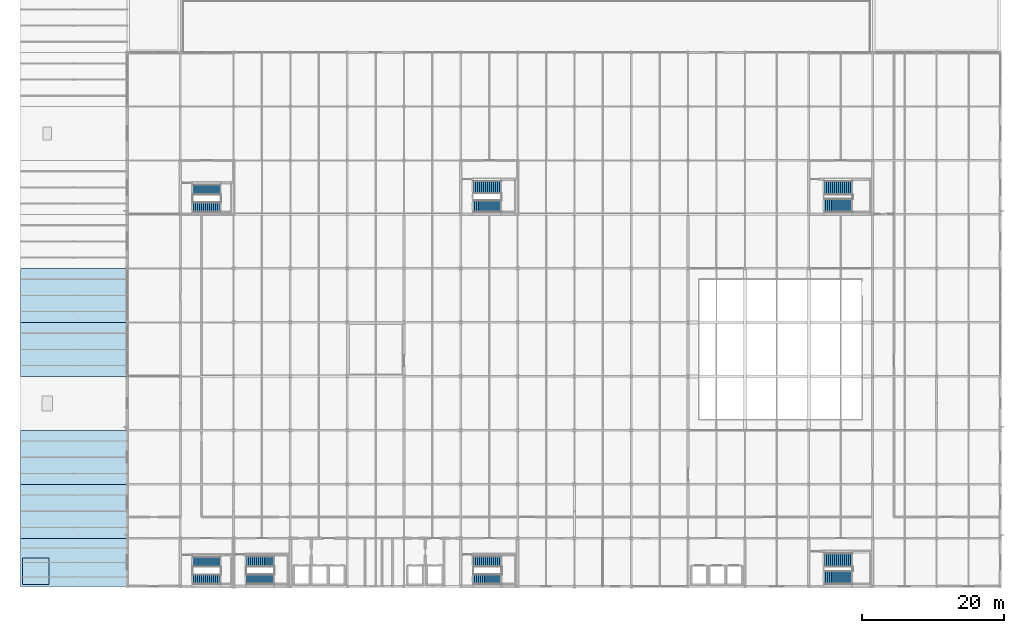
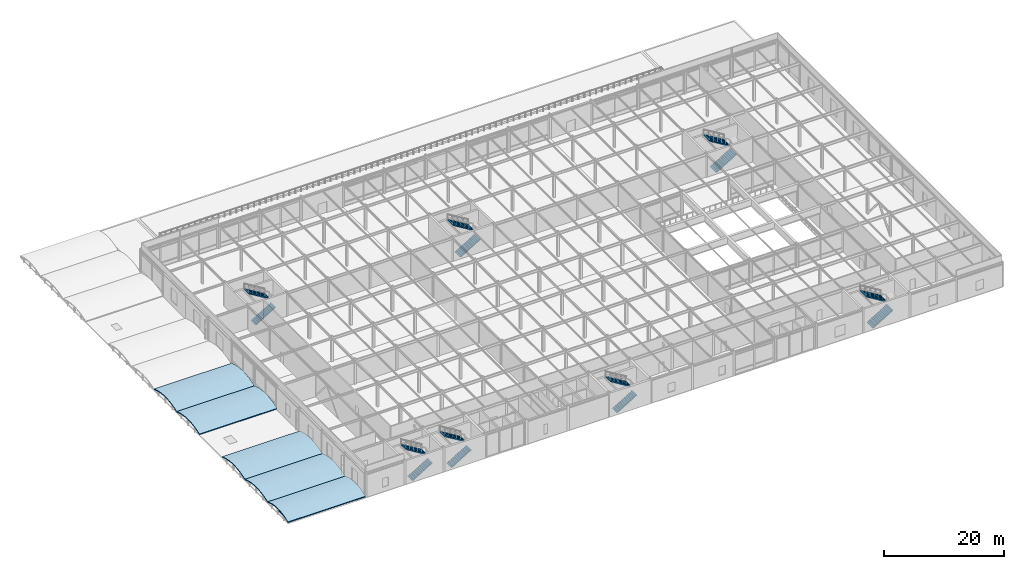
# One storey, part 66 of 79: 14 stair flights, 6 roofs, 7 elements without a shape of their own.
"""IFC4 building model written with IfcOpenShell, lengths in metres."""

from ifc_helpers import new_model, si_unit, direction, frame, origin, place, context, subcontext, project, spatial, polyline, outline, extrude, material, layer, layer_set, type_object, element, aggregate, save


model = new_model("IFC4")

# Units and contexts
model_context = context("Model", 3, precision=1e-05, world=origin(), true_north=direction((0.0, 1.0)))
body_context = subcontext(model_context, "Body", "Model", "MODEL_VIEW")
ifc_project = project(units=[si_unit("LENGTHUNIT", "METRE"), si_unit("AREAUNIT", "SQUARE_METRE"), si_unit("VOLUMEUNIT", "CUBIC_METRE"), si_unit("PLANEANGLEUNIT", "RADIAN"), si_unit("MASSUNIT", "GRAM", prefix="KILO")], contexts=[model_context])

# Site, building, storey
site_placement = place(None, origin())
site = spatial("IfcSite", under=ifc_project, at=site_placement, CompositionType="ELEMENT")
building_placement = place(site_placement, origin())
building = spatial("IfcBuilding", under=site, at=building_placement, Name="Shalkamar Park Central Library", CompositionType="ELEMENT")
storey_placement = place(building_placement, frame((0.0, 0.0, 10.5)))
storey = spatial("IfcBuildingStorey", under=building, at=storey_placement, Name="L03", CompositionType="ELEMENT", Elevation=10.5)

# Stair, stair flights
ifc_material = material(Name="Concrete C35/45", Category="concrete")
stair_type_1 = type_object("IfcStairType", Name="Protected Dog Leg Stair 150x510", PredefinedType="TWO_STRAIGHT_RUN_STAIR", material=ifc_material)
stair_1_placement = place(storey_placement, origin())
stair_1 = element("IfcStair", 1, at=stair_1_placement, inside=storey, type_object=stair_type_1, Name="Protected Core Stair ST-T1-L03", PredefinedType="TWO_STRAIGHT_RUN_STAIR")
stair_flight_type_1 = type_object("IfcStairFlightType", Name="Straight Stair Flight 150x510", PredefinedType="STRAIGHT", material=ifc_material)
stair_flight_1_placement = place(storey_placement, frame((166.6201171875, 249.389892578125, 0.0), z_axis=(0.0, 0.0, 1.0), x_axis=(1.0, 0.0, 0.0)))
stair_flight_1 = element("IfcStairFlight", 2, at=stair_flight_1_placement, type_object=stair_flight_type_1, Name="ST-T1-L03 flight 1", NumberOfRisers=15, NumberOfTreads=14, PredefinedType="STRAIGHT", RiserHeight=0.17, TreadLength=0.28, context=body_context, shape_type="SweptSolid", body=[
    extrude(outline(polyline([(0.0, 0.0), (0.0, 0.169921875), (0.280029296875, 0.169921875), (0.280029296875, 0.340087890625), (0.56005859375, 0.340087890625), (0.56005859375, 0.510009765625), (0.840087890625, 0.510009765625), (0.840087890625, 0.679931640625), (1.1201171875, 0.679931640625), (1.1201171875, 0.85009765625), (1.39990234375, 0.85009765625), (1.39990234375, 1.02001953125), (1.679931640625, 1.02001953125), (1.679931640625, 1.18994140625), (1.9599609375, 1.18994140625), (1.9599609375, 1.360107421875), (2.239990234375, 1.360107421875), (2.239990234375, 1.530029296875), (2.52001953125, 1.530029296875), (2.52001953125, 1.699951171875), (2.800048828125, 1.699951171875), (2.800048828125, 1.8701171875), (3.080078125, 1.8701171875), (3.080078125, 2.0400390625), (3.360107421875, 2.0400390625), (3.360107421875, 2.2099609375), (3.639892578125, 2.2099609375), (3.639892578125, 2.3798828125), (3.919921875, 2.3798828125), (3.919921875, 2.550048828125), (3.919921875, 2.20458984375), (0.288818359375, 0.0), (0.0, 0.0)])), frame((0.0, 0.75, 0.0), z_axis=(0.0, -1.0, 0.0), x_axis=(1.0, 0.0, 0.0)), (0.0, 0.0, 1.0), 1.5),
])
stair_flight_2_placement = place(storey_placement, frame((170.719970703125, 251.909912109375, 2.550048828125), z_axis=(0.0, 0.0, 1.0), x_axis=(-1.0, 0.0, 0.0)))
stair_flight_2 = element("IfcStairFlight", 3, at=stair_flight_2_placement, type_object=stair_flight_type_1, Name="ST-T1-L03 flight 2", NumberOfRisers=15, NumberOfTreads=14, PredefinedType="STRAIGHT", RiserHeight=0.17, TreadLength=0.28, context=body_context, shape_type="SweptSolid", body=[
    extrude(outline(polyline([(0.0, 0.0), (0.0, 0.169921875), (0.280029296875, 0.169921875), (0.280029296875, 0.340087890625), (0.56005859375, 0.340087890625), (0.56005859375, 0.510009765625), (0.840087890625, 0.510009765625), (0.840087890625, 0.679931640625), (1.1201171875, 0.679931640625), (1.1201171875, 0.85009765625), (1.39990234375, 0.85009765625), (1.39990234375, 1.02001953125), (1.679931640625, 1.02001953125), (1.679931640625, 1.18994140625), (1.9599609375, 1.18994140625), (1.9599609375, 1.360107421875), (2.239990234375, 1.360107421875), (2.239990234375, 1.530029296875), (2.52001953125, 1.530029296875), (2.52001953125, 1.699951171875), (2.800048828125, 1.699951171875), (2.800048828125, 1.8701171875), (3.080078125, 1.8701171875), (3.080078125, 2.0400390625), (3.360107421875, 2.0400390625), (3.360107421875, 2.2099609375), (3.639892578125, 2.2099609375), (3.639892578125, 2.3798828125), (3.919921875, 2.3798828125), (3.919921875, 2.550048828125), (3.919921875, 2.20458984375), (0.288818359375, 0.0), (0.0, 0.0)])), frame((0.0, 0.75, 0.0), z_axis=(0.0, -1.0, 0.0), x_axis=(1.0, 0.0, 0.0)), (0.0, 0.0, 1.0), 1.5),
])
aggregate(stair_1, [stair_flight_1, stair_flight_2])

stair_2_placement = place(storey_placement, origin())
stair_2 = element("IfcStair", 4, at=stair_2_placement, inside=storey, type_object=stair_type_1, Name="Protected Core Stair ST-T2-L03", PredefinedType="TWO_STRAIGHT_RUN_STAIR")
stair_flight_3_placement = place(storey_placement, frame((198.6201171875, 249.389892578125, 0.0), z_axis=(0.0, 0.0, 1.0), x_axis=(1.0, 0.0, 0.0)))
stair_flight_3 = element("IfcStairFlight", 5, at=stair_flight_3_placement, type_object=stair_flight_type_1, Name="ST-T2-L03 flight 1", NumberOfRisers=15, NumberOfTreads=14, PredefinedType="STRAIGHT", RiserHeight=0.17, TreadLength=0.28, context=body_context, shape_type="SweptSolid", body=[
    extrude(outline(polyline([(0.0, 0.0), (0.0, 0.169921875), (0.280029296875, 0.169921875), (0.280029296875, 0.340087890625), (0.56005859375, 0.340087890625), (0.56005859375, 0.510009765625), (0.840087890625, 0.510009765625), (0.840087890625, 0.679931640625), (1.1201171875, 0.679931640625), (1.1201171875, 0.85009765625), (1.39990234375, 0.85009765625), (1.39990234375, 1.02001953125), (1.679931640625, 1.02001953125), (1.679931640625, 1.18994140625), (1.9599609375, 1.18994140625), (1.9599609375, 1.360107421875), (2.239990234375, 1.360107421875), (2.239990234375, 1.530029296875), (2.52001953125, 1.530029296875), (2.52001953125, 1.699951171875), (2.800048828125, 1.699951171875), (2.800048828125, 1.8701171875), (3.080078125, 1.8701171875), (3.080078125, 2.0400390625), (3.360107421875, 2.0400390625), (3.360107421875, 2.2099609375), (3.639892578125, 2.2099609375), (3.639892578125, 2.3798828125), (3.919921875, 2.3798828125), (3.919921875, 2.550048828125), (3.919921875, 2.20458984375), (0.288818359375, 0.0), (0.0, 0.0)])), frame((0.0, 0.75, 0.0), z_axis=(0.0, -1.0, 0.0), x_axis=(1.0, 0.0, 0.0)), (0.0, 0.0, 1.0), 1.5),
])
stair_flight_4_placement = place(storey_placement, frame((202.719970703125, 251.909912109375, 2.550048828125), z_axis=(0.0, 0.0, 1.0), x_axis=(-1.0, 0.0, 0.0)))
stair_flight_4 = element("IfcStairFlight", 6, at=stair_flight_4_placement, type_object=stair_flight_type_1, Name="ST-T2-L03 flight 2", NumberOfRisers=15, NumberOfTreads=14, PredefinedType="STRAIGHT", RiserHeight=0.17, TreadLength=0.28, context=body_context, shape_type="SweptSolid", body=[
    extrude(outline(polyline([(0.0, 0.0), (0.0, 0.169921875), (0.280029296875, 0.169921875), (0.280029296875, 0.340087890625), (0.56005859375, 0.340087890625), (0.56005859375, 0.510009765625), (0.840087890625, 0.510009765625), (0.840087890625, 0.679931640625), (1.1201171875, 0.679931640625), (1.1201171875, 0.85009765625), (1.39990234375, 0.85009765625), (1.39990234375, 1.02001953125), (1.679931640625, 1.02001953125), (1.679931640625, 1.18994140625), (1.9599609375, 1.18994140625), (1.9599609375, 1.360107421875), (2.239990234375, 1.360107421875), (2.239990234375, 1.530029296875), (2.52001953125, 1.530029296875), (2.52001953125, 1.699951171875), (2.800048828125, 1.699951171875), (2.800048828125, 1.8701171875), (3.080078125, 1.8701171875), (3.080078125, 2.0400390625), (3.360107421875, 2.0400390625), (3.360107421875, 2.2099609375), (3.639892578125, 2.2099609375), (3.639892578125, 2.3798828125), (3.919921875, 2.3798828125), (3.919921875, 2.550048828125), (3.919921875, 2.20458984375), (0.288818359375, 0.0), (0.0, 0.0)])), frame((0.0, 0.75, 0.0), z_axis=(0.0, -1.0, 0.0), x_axis=(1.0, 0.0, 0.0)), (0.0, 0.0, 1.0), 1.5),
])
aggregate(stair_2, [stair_flight_3, stair_flight_4])

stair_3_placement = place(storey_placement, origin())
stair_3 = element("IfcStair", 7, at=stair_3_placement, inside=storey, type_object=stair_type_1, Name="Protected Core Stair ST-P1-L03", PredefinedType="TWO_STRAIGHT_RUN_STAIR")
stair_flight_5_placement = place(storey_placement, frame((159.094970703125, 249.364990234375, 0.0), z_axis=(0.0, 0.0, 1.0), x_axis=(1.0, 0.0, 0.0)))
stair_flight_5 = element("IfcStairFlight", 8, at=stair_flight_5_placement, type_object=stair_flight_type_1, Name="ST-P1-L03 flight 1", NumberOfRisers=15, NumberOfTreads=14, PredefinedType="STRAIGHT", RiserHeight=0.17, TreadLength=0.28, context=body_context, shape_type="SweptSolid", body=[
    extrude(outline(polyline([(0.0, 0.0), (0.0, 0.169921875), (0.280029296875, 0.169921875), (0.280029296875, 0.340087890625), (0.56005859375, 0.340087890625), (0.56005859375, 0.510009765625), (0.840087890625, 0.510009765625), (0.840087890625, 0.679931640625), (1.1201171875, 0.679931640625), (1.1201171875, 0.85009765625), (1.39990234375, 0.85009765625), (1.39990234375, 1.02001953125), (1.679931640625, 1.02001953125), (1.679931640625, 1.18994140625), (1.9599609375, 1.18994140625), (1.9599609375, 1.360107421875), (2.239990234375, 1.360107421875), (2.239990234375, 1.530029296875), (2.52001953125, 1.530029296875), (2.52001953125, 1.699951171875), (2.800048828125, 1.699951171875), (2.800048828125, 1.8701171875), (3.080078125, 1.8701171875), (3.080078125, 2.0400390625), (3.360107421875, 2.0400390625), (3.360107421875, 2.2099609375), (3.639892578125, 2.2099609375), (3.639892578125, 2.3798828125), (3.919921875, 2.3798828125), (3.919921875, 2.550048828125), (3.919921875, 2.20458984375), (0.288818359375, 0.0), (0.0, 0.0)])), frame((0.0, 0.75, 0.0), z_axis=(0.0, -1.0, 0.0), x_axis=(1.0, 0.0, 0.0)), (0.0, 0.0, 1.0), 1.5),
])
stair_flight_6_placement = place(storey_placement, frame((163.195068359375, 251.885009765625, 2.550048828125), z_axis=(0.0, 0.0, 1.0), x_axis=(-1.0, 0.0, 0.0)))
stair_flight_6 = element("IfcStairFlight", 9, at=stair_flight_6_placement, type_object=stair_flight_type_1, Name="ST-P1-L03 flight 2", NumberOfRisers=15, NumberOfTreads=14, PredefinedType="STRAIGHT", RiserHeight=0.17, TreadLength=0.28, context=body_context, shape_type="SweptSolid", body=[
    extrude(outline(polyline([(0.0, 0.0), (0.0, 0.169921875), (0.280029296875, 0.169921875), (0.280029296875, 0.340087890625), (0.56005859375, 0.340087890625), (0.56005859375, 0.510009765625), (0.840087890625, 0.510009765625), (0.840087890625, 0.679931640625), (1.1201171875, 0.679931640625), (1.1201171875, 0.85009765625), (1.39990234375, 0.85009765625), (1.39990234375, 1.02001953125), (1.679931640625, 1.02001953125), (1.679931640625, 1.18994140625), (1.9599609375, 1.18994140625), (1.9599609375, 1.360107421875), (2.239990234375, 1.360107421875), (2.239990234375, 1.530029296875), (2.52001953125, 1.530029296875), (2.52001953125, 1.699951171875), (2.800048828125, 1.699951171875), (2.800048828125, 1.8701171875), (3.080078125, 1.8701171875), (3.080078125, 2.0400390625), (3.360107421875, 2.0400390625), (3.360107421875, 2.2099609375), (3.639892578125, 2.2099609375), (3.639892578125, 2.3798828125), (3.919921875, 2.3798828125), (3.919921875, 2.550048828125), (3.919921875, 2.20458984375), (0.288818359375, 0.0), (0.0, 0.0)])), frame((0.0, 0.75, 0.0), z_axis=(0.0, -1.0, 0.0), x_axis=(1.0, 0.0, 0.0)), (0.0, 0.0, 1.0), 1.5),
])
aggregate(stair_3, [stair_flight_5, stair_flight_6])

stair_4_placement = place(storey_placement, origin())
stair_4 = element("IfcStair", 10, at=stair_4_placement, inside=storey, type_object=stair_type_1, Name="Protected Core Stair ST-P2-L03", PredefinedType="TWO_STRAIGHT_RUN_STAIR")
stair_flight_7_placement = place(storey_placement, frame((159.094970703125, 301.764892578125, 0.0), z_axis=(0.0, 0.0, 1.0), x_axis=(1.0, 0.0, 0.0)))
stair_flight_7 = element("IfcStairFlight", 11, at=stair_flight_7_placement, type_object=stair_flight_type_1, Name="ST-P2-L03 flight 1", NumberOfRisers=15, NumberOfTreads=14, PredefinedType="STRAIGHT", RiserHeight=0.17, TreadLength=0.28, context=body_context, shape_type="SweptSolid", body=[
    extrude(outline(polyline([(0.0, 0.0), (0.0, 0.169921875), (0.280029296875, 0.169921875), (0.280029296875, 0.340087890625), (0.56005859375, 0.340087890625), (0.56005859375, 0.510009765625), (0.840087890625, 0.510009765625), (0.840087890625, 0.679931640625), (1.1201171875, 0.679931640625), (1.1201171875, 0.85009765625), (1.39990234375, 0.85009765625), (1.39990234375, 1.02001953125), (1.679931640625, 1.02001953125), (1.679931640625, 1.18994140625), (1.9599609375, 1.18994140625), (1.9599609375, 1.360107421875), (2.239990234375, 1.360107421875), (2.239990234375, 1.530029296875), (2.52001953125, 1.530029296875), (2.52001953125, 1.699951171875), (2.800048828125, 1.699951171875), (2.800048828125, 1.8701171875), (3.080078125, 1.8701171875), (3.080078125, 2.0400390625), (3.360107421875, 2.0400390625), (3.360107421875, 2.2099609375), (3.639892578125, 2.2099609375), (3.639892578125, 2.3798828125), (3.919921875, 2.3798828125), (3.919921875, 2.550048828125), (3.919921875, 2.20458984375), (0.288818359375, 0.0), (0.0, 0.0)])), frame((0.0, 0.75, 0.0), z_axis=(0.0, -1.0, 0.0), x_axis=(1.0, 0.0, 0.0)), (0.0, 0.0, 1.0), 1.5),
])
stair_flight_8_placement = place(storey_placement, frame((163.195068359375, 304.284912109375, 2.550048828125), z_axis=(0.0, 0.0, 1.0), x_axis=(-1.0, 0.0, 0.0)))
stair_flight_8 = element("IfcStairFlight", 12, at=stair_flight_8_placement, type_object=stair_flight_type_1, Name="ST-P2-L03 flight 2", NumberOfRisers=15, NumberOfTreads=14, PredefinedType="STRAIGHT", RiserHeight=0.17, TreadLength=0.28, context=body_context, shape_type="SweptSolid", body=[
    extrude(outline(polyline([(0.0, 0.0), (0.0, 0.169921875), (0.280029296875, 0.169921875), (0.280029296875, 0.340087890625), (0.56005859375, 0.340087890625), (0.56005859375, 0.510009765625), (0.840087890625, 0.510009765625), (0.840087890625, 0.679931640625), (1.1201171875, 0.679931640625), (1.1201171875, 0.85009765625), (1.39990234375, 0.85009765625), (1.39990234375, 1.02001953125), (1.679931640625, 1.02001953125), (1.679931640625, 1.18994140625), (1.9599609375, 1.18994140625), (1.9599609375, 1.360107421875), (2.239990234375, 1.360107421875), (2.239990234375, 1.530029296875), (2.52001953125, 1.530029296875), (2.52001953125, 1.699951171875), (2.800048828125, 1.699951171875), (2.800048828125, 1.8701171875), (3.080078125, 1.8701171875), (3.080078125, 2.0400390625), (3.360107421875, 2.0400390625), (3.360107421875, 2.2099609375), (3.639892578125, 2.2099609375), (3.639892578125, 2.3798828125), (3.919921875, 2.3798828125), (3.919921875, 2.550048828125), (3.919921875, 2.20458984375), (0.288818359375, 0.0), (0.0, 0.0)])), frame((0.0, 0.75, 0.0), z_axis=(0.0, -1.0, 0.0), x_axis=(1.0, 0.0, 0.0)), (0.0, 0.0, 1.0), 1.5),
])
aggregate(stair_4, [stair_flight_7, stair_flight_8])

stair_type_2 = type_object("IfcStairType", Name="Protected Dog Leg Stair 180x510", PredefinedType="TWO_STRAIGHT_RUN_STAIR", material=ifc_material)
stair_5_placement = place(storey_placement, origin())
stair_5 = element("IfcStair", 13, at=stair_5_placement, inside=storey, type_object=stair_type_2, Name="Protected Core Stair ST-P7-L03", PredefinedType="TWO_STRAIGHT_RUN_STAIR")
stair_flight_type_2 = type_object("IfcStairFlightType", Name="Straight Stair Flight 180x510", PredefinedType="STRAIGHT", material=ifc_material)
stair_flight_9_placement = place(storey_placement, frame((198.614990234375, 301.9150390625, 0.0), z_axis=(0.0, 0.0, 1.0), x_axis=(1.0, 0.0, 0.0)))
stair_flight_9 = element("IfcStairFlight", 14, at=stair_flight_9_placement, type_object=stair_flight_type_2, Name="ST-P7-L03 flight 1", NumberOfRisers=15, NumberOfTreads=14, PredefinedType="STRAIGHT", RiserHeight=0.17, TreadLength=0.28, context=body_context, shape_type="SweptSolid", body=[
    extrude(outline(polyline([(0.0, 0.0), (0.0, 0.169921875), (0.280029296875, 0.169921875), (0.280029296875, 0.340087890625), (0.56005859375, 0.340087890625), (0.56005859375, 0.510009765625), (0.840087890625, 0.510009765625), (0.840087890625, 0.679931640625), (1.1201171875, 0.679931640625), (1.1201171875, 0.85009765625), (1.39990234375, 0.85009765625), (1.39990234375, 1.02001953125), (1.679931640625, 1.02001953125), (1.679931640625, 1.18994140625), (1.9599609375, 1.18994140625), (1.9599609375, 1.360107421875), (2.239990234375, 1.360107421875), (2.239990234375, 1.530029296875), (2.52001953125, 1.530029296875), (2.52001953125, 1.699951171875), (2.800048828125, 1.699951171875), (2.800048828125, 1.8701171875), (3.080078125, 1.8701171875), (3.080078125, 2.0400390625), (3.360107421875, 2.0400390625), (3.360107421875, 2.2099609375), (3.639892578125, 2.2099609375), (3.639892578125, 2.3798828125), (3.919921875, 2.3798828125), (3.919921875, 2.550048828125), (3.919921875, 2.20458984375), (0.288818359375, 0.0), (0.0, 0.0)])), frame((0.0, 0.89990234375, 0.0), z_axis=(0.0, -1.0, 0.0), x_axis=(1.0, 0.0, 0.0)), (0.0, 0.0, 1.0), 1.800048828125),
])
stair_flight_10_placement = place(storey_placement, frame((202.715087890625, 304.635009765625, 2.550048828125), z_axis=(0.0, 0.0, 1.0), x_axis=(-1.0, 0.0, 0.0)))
stair_flight_10 = element("IfcStairFlight", 15, at=stair_flight_10_placement, type_object=stair_flight_type_2, Name="ST-P7-L03 flight 2", NumberOfRisers=15, NumberOfTreads=14, PredefinedType="STRAIGHT", RiserHeight=0.17, TreadLength=0.28, context=body_context, shape_type="SweptSolid", body=[
    extrude(outline(polyline([(0.0, 0.0), (0.0, 0.169921875), (0.280029296875, 0.169921875), (0.280029296875, 0.340087890625), (0.56005859375, 0.340087890625), (0.56005859375, 0.510009765625), (0.840087890625, 0.510009765625), (0.840087890625, 0.679931640625), (1.1201171875, 0.679931640625), (1.1201171875, 0.85009765625), (1.39990234375, 0.85009765625), (1.39990234375, 1.02001953125), (1.679931640625, 1.02001953125), (1.679931640625, 1.18994140625), (1.9599609375, 1.18994140625), (1.9599609375, 1.360107421875), (2.239990234375, 1.360107421875), (2.239990234375, 1.530029296875), (2.52001953125, 1.530029296875), (2.52001953125, 1.699951171875), (2.800048828125, 1.699951171875), (2.800048828125, 1.8701171875), (3.080078125, 1.8701171875), (3.080078125, 2.0400390625), (3.360107421875, 2.0400390625), (3.360107421875, 2.2099609375), (3.639892578125, 2.2099609375), (3.639892578125, 2.3798828125), (3.919921875, 2.3798828125), (3.919921875, 2.550048828125), (3.919921875, 2.20458984375), (0.288818359375, 0.0), (0.0, 0.0)])), frame((0.0, 0.89990234375, 0.0), z_axis=(0.0, -1.0, 0.0), x_axis=(1.0, 0.0, 0.0)), (0.0, 0.0, 1.0), 1.800048828125),
])
aggregate(stair_5, [stair_flight_9, stair_flight_10])

stair_type_3 = type_object("IfcStairType", Name="Protected Dog Leg Stair 200x510", PredefinedType="TWO_STRAIGHT_RUN_STAIR", material=ifc_material)
stair_6_placement = place(storey_placement, origin())
stair_6 = element("IfcStair", 16, at=stair_6_placement, inside=storey, type_object=stair_type_3, Name="Protected Core Stair ST-P3-L03", PredefinedType="TWO_STRAIGHT_RUN_STAIR")
stair_flight_type_3 = type_object("IfcStairFlightType", Name="Straight Stair Flight 200x510", PredefinedType="STRAIGHT", material=ifc_material)
stair_flight_11_placement = place(storey_placement, frame((248.044921875, 249.614990234375, 0.0), z_axis=(0.0, 0.0, 1.0), x_axis=(1.0, 0.0, 0.0)))
stair_flight_11 = element("IfcStairFlight", 17, at=stair_flight_11_placement, type_object=stair_flight_type_3, Name="ST-P3-L03 flight 1", NumberOfRisers=15, NumberOfTreads=14, PredefinedType="STRAIGHT", RiserHeight=0.17, TreadLength=0.28, context=body_context, shape_type="SweptSolid", body=[
    extrude(outline(polyline([(0.0, 0.0), (0.0, 0.169921875), (0.280029296875, 0.169921875), (0.280029296875, 0.340087890625), (0.56005859375, 0.340087890625), (0.56005859375, 0.510009765625), (0.840087890625, 0.510009765625), (0.840087890625, 0.679931640625), (1.1201171875, 0.679931640625), (1.1201171875, 0.85009765625), (1.39990234375, 0.85009765625), (1.39990234375, 1.02001953125), (1.679931640625, 1.02001953125), (1.679931640625, 1.18994140625), (1.9599609375, 1.18994140625), (1.9599609375, 1.360107421875), (2.239990234375, 1.360107421875), (2.239990234375, 1.530029296875), (2.52001953125, 1.530029296875), (2.52001953125, 1.699951171875), (2.800048828125, 1.699951171875), (2.800048828125, 1.8701171875), (3.080078125, 1.8701171875), (3.080078125, 2.0400390625), (3.360107421875, 2.0400390625), (3.360107421875, 2.2099609375), (3.639892578125, 2.2099609375), (3.639892578125, 2.3798828125), (3.919921875, 2.3798828125), (3.919921875, 2.550048828125), (3.919921875, 2.20458984375), (0.288818359375, 0.0), (0.0, 0.0)])), frame((0.0, 1.0, 0.0), z_axis=(0.0, -1.0, 0.0), x_axis=(1.0, 0.0, 0.0)), (0.0, 0.0, 1.0), 2.0),
])
stair_flight_12_placement = place(storey_placement, frame((252.14501953125, 252.135009765625, 2.550048828125), z_axis=(0.0, 0.0, 1.0), x_axis=(-1.0, 0.0, 0.0)))
stair_flight_12 = element("IfcStairFlight", 18, at=stair_flight_12_placement, type_object=stair_flight_type_3, Name="ST-P3-L03 flight 2", NumberOfRisers=15, NumberOfTreads=14, PredefinedType="STRAIGHT", RiserHeight=0.17, TreadLength=0.28, context=body_context, shape_type="SweptSolid", body=[
    extrude(outline(polyline([(0.0, 0.0), (0.0, 0.169921875), (0.280029296875, 0.169921875), (0.280029296875, 0.340087890625), (0.56005859375, 0.340087890625), (0.56005859375, 0.510009765625), (0.840087890625, 0.510009765625), (0.840087890625, 0.679931640625), (1.1201171875, 0.679931640625), (1.1201171875, 0.85009765625), (1.39990234375, 0.85009765625), (1.39990234375, 1.02001953125), (1.679931640625, 1.02001953125), (1.679931640625, 1.18994140625), (1.9599609375, 1.18994140625), (1.9599609375, 1.360107421875), (2.239990234375, 1.360107421875), (2.239990234375, 1.530029296875), (2.52001953125, 1.530029296875), (2.52001953125, 1.699951171875), (2.800048828125, 1.699951171875), (2.800048828125, 1.8701171875), (3.080078125, 1.8701171875), (3.080078125, 2.0400390625), (3.360107421875, 2.0400390625), (3.360107421875, 2.2099609375), (3.639892578125, 2.2099609375), (3.639892578125, 2.3798828125), (3.919921875, 2.3798828125), (3.919921875, 2.550048828125), (3.919921875, 2.20458984375), (0.288818359375, 0.0), (0.0, 0.0)])), frame((0.0, 1.0, 0.0), z_axis=(0.0, -1.0, 0.0), x_axis=(1.0, 0.0, 0.0)), (0.0, 0.0, 1.0), 2.0),
])
aggregate(stair_6, [stair_flight_11, stair_flight_12])

stair_7_placement = place(storey_placement, origin())
stair_7 = element("IfcStair", 19, at=stair_7_placement, inside=storey, type_object=stair_type_3, Name="Protected Core Stair ST-P4-L03", PredefinedType="TWO_STRAIGHT_RUN_STAIR")
stair_flight_13_placement = place(storey_placement, frame((248.044921875, 302.014892578125, 0.0), z_axis=(0.0, 0.0, 1.0), x_axis=(1.0, 0.0, 0.0)))
stair_flight_13 = element("IfcStairFlight", 20, at=stair_flight_13_placement, type_object=stair_flight_type_3, Name="ST-P4-L03 flight 1", NumberOfRisers=15, NumberOfTreads=14, PredefinedType="STRAIGHT", RiserHeight=0.17, TreadLength=0.28, context=body_context, shape_type="SweptSolid", body=[
    extrude(outline(polyline([(0.0, 0.0), (0.0, 0.169921875), (0.280029296875, 0.169921875), (0.280029296875, 0.340087890625), (0.56005859375, 0.340087890625), (0.56005859375, 0.510009765625), (0.840087890625, 0.510009765625), (0.840087890625, 0.679931640625), (1.1201171875, 0.679931640625), (1.1201171875, 0.85009765625), (1.39990234375, 0.85009765625), (1.39990234375, 1.02001953125), (1.679931640625, 1.02001953125), (1.679931640625, 1.18994140625), (1.9599609375, 1.18994140625), (1.9599609375, 1.360107421875), (2.239990234375, 1.360107421875), (2.239990234375, 1.530029296875), (2.52001953125, 1.530029296875), (2.52001953125, 1.699951171875), (2.800048828125, 1.699951171875), (2.800048828125, 1.8701171875), (3.080078125, 1.8701171875), (3.080078125, 2.0400390625), (3.360107421875, 2.0400390625), (3.360107421875, 2.2099609375), (3.639892578125, 2.2099609375), (3.639892578125, 2.3798828125), (3.919921875, 2.3798828125), (3.919921875, 2.550048828125), (3.919921875, 2.20458984375), (0.288818359375, 0.0), (0.0, 0.0)])), frame((0.0, 1.0, 0.0), z_axis=(0.0, -1.0, 0.0), x_axis=(1.0, 0.0, 0.0)), (0.0, 0.0, 1.0), 2.0),
])
stair_flight_14_placement = place(storey_placement, frame((252.14501953125, 304.534912109375, 2.550048828125), z_axis=(0.0, 0.0, 1.0), x_axis=(-1.0, 0.0, 0.0)))
stair_flight_14 = element("IfcStairFlight", 21, at=stair_flight_14_placement, type_object=stair_flight_type_3, Name="ST-P4-L03 flight 2", NumberOfRisers=15, NumberOfTreads=14, PredefinedType="STRAIGHT", RiserHeight=0.17, TreadLength=0.28, context=body_context, shape_type="SweptSolid", body=[
    extrude(outline(polyline([(0.0, 0.0), (0.0, 0.169921875), (0.280029296875, 0.169921875), (0.280029296875, 0.340087890625), (0.56005859375, 0.340087890625), (0.56005859375, 0.510009765625), (0.840087890625, 0.510009765625), (0.840087890625, 0.679931640625), (1.1201171875, 0.679931640625), (1.1201171875, 0.85009765625), (1.39990234375, 0.85009765625), (1.39990234375, 1.02001953125), (1.679931640625, 1.02001953125), (1.679931640625, 1.18994140625), (1.9599609375, 1.18994140625), (1.9599609375, 1.360107421875), (2.239990234375, 1.360107421875), (2.239990234375, 1.530029296875), (2.52001953125, 1.530029296875), (2.52001953125, 1.699951171875), (2.800048828125, 1.699951171875), (2.800048828125, 1.8701171875), (3.080078125, 1.8701171875), (3.080078125, 2.0400390625), (3.360107421875, 2.0400390625), (3.360107421875, 2.2099609375), (3.639892578125, 2.2099609375), (3.639892578125, 2.3798828125), (3.919921875, 2.3798828125), (3.919921875, 2.550048828125), (3.919921875, 2.20458984375), (0.288818359375, 0.0), (0.0, 0.0)])), frame((0.0, 1.0, 0.0), z_axis=(0.0, -1.0, 0.0), x_axis=(1.0, 0.0, 0.0)), (0.0, 0.0, 1.0), 2.0),
])
aggregate(stair_7, [stair_flight_13, stair_flight_14])

# Roofs
ifc_layer_1 = layer(ifc_material, 0.239990234375)
ifc_layer_set_1 = layer_set([ifc_layer_1], Name="Concrete C35/45")
roof_type_1 = type_object("IfcRoofType", Name="Insulated Flat Roof Assembly", PredefinedType="FLAT_ROOF", material=ifc_layer_set_1)
roof_1_placement = place(storey_placement, origin())
element("IfcRoof", 22, at=roof_1_placement, inside=storey, type_object=roof_type_1, Name="Level L03 Insulated Flat Roof Assembly", PredefinedType="FLAT_ROOF", context=body_context, shape_type="SweptSolid", body=[
    extrude(outline(polyline([(135.300048828125, 248.699951171875), (139.0, 248.699951171875), (139.0, 252.39990234375), (135.300048828125, 252.39990234375), (135.300048828125, 248.699951171875)])), origin(), (0.0, 0.0, 1.0), 0.030029296875),
])
ifc_layer_2 = layer(ifc_material, 0.179931640625)
ifc_layer_set_2 = layer_set([ifc_layer_2], Name="Concrete C35/45")
roof_type_2 = type_object("IfcRoofType", Name="Polychrome Barrel Vault Roof", PredefinedType="BARREL_ROOF", material=ifc_layer_set_2)
roof_2_placement = place(storey_placement, frame((135.0, 251.7998046875, 0.0), z_axis=(0.0, 0.0, 1.0), x_axis=(1.0, 0.0, 0.0)))
element("IfcRoof", 23, at=roof_2_placement, inside=storey, type_object=roof_type_2, Name="Barrel Vault Clerestory Roof BV-L02-W1", PredefinedType="BARREL_ROOF", context=body_context, shape_type="SweptSolid", body=[
    extrude(outline(polyline([(-3.39990234375, 0.179931640625), (-2.97509765625, 0.3486328125), (-2.550048828125, 0.494873046875), (-2.125, 0.61865234375), (-1.699951171875, 0.719970703125), (-1.27490234375, 0.798583984375), (-0.85009765625, 0.85498046875), (-0.425048828125, 0.888671875), (0.0, 0.89990234375), (0.425048828125, 0.888671875), (0.85009765625, 0.85498046875), (1.27490234375, 0.798583984375), (1.699951171875, 0.719970703125), (2.125, 0.61865234375), (2.550048828125, 0.494873046875), (2.97509765625, 0.3486328125), (3.39990234375, 0.179931640625), (3.39990234375, 0.0), (2.97509765625, 0.168701171875), (2.550048828125, 0.31494140625), (2.125, 0.438720703125), (1.699951171875, 0.5400390625), (1.27490234375, 0.61865234375), (0.85009765625, 0.675048828125), (0.425048828125, 0.708740234375), (0.0, 0.719970703125), (-0.425048828125, 0.708740234375), (-0.85009765625, 0.675048828125), (-1.27490234375, 0.61865234375), (-1.699951171875, 0.5400390625), (-2.125, 0.438720703125), (-2.550048828125, 0.31494140625), (-2.97509765625, 0.168701171875), (-3.39990234375, 0.0), (-3.39990234375, 0.179931640625)])), frame((0.0, 0.0, 0.0), z_axis=(1.0, 0.0, 0.0), x_axis=(0.0, 1.0, 0.0)), (0.0, 0.0, 1.0), 15.0),
])
roof_3_placement = place(storey_placement, frame((135.0, 259.0, 0.0), z_axis=(0.0, 0.0, 1.0), x_axis=(1.0, 0.0, 0.0)))
element("IfcRoof", 24, at=roof_3_placement, inside=storey, type_object=roof_type_2, Name="Barrel Vault Clerestory Roof BV-L02-W2", PredefinedType="BARREL_ROOF", context=body_context, shape_type="SweptSolid", body=[
    extrude(outline(polyline([(-3.800048828125, 0.179931640625), (-3.324951171875, 0.3486328125), (-2.85009765625, 0.494873046875), (-2.375, 0.61865234375), (-1.89990234375, 0.719970703125), (-1.425048828125, 0.798583984375), (-0.949951171875, 0.85498046875), (-0.47509765625, 0.888671875), (0.0, 0.89990234375), (0.47509765625, 0.888671875), (0.949951171875, 0.85498046875), (1.425048828125, 0.798583984375), (1.89990234375, 0.719970703125), (2.375, 0.61865234375), (2.85009765625, 0.494873046875), (3.324951171875, 0.3486328125), (3.800048828125, 0.179931640625), (3.800048828125, 0.0), (3.324951171875, 0.168701171875), (2.85009765625, 0.31494140625), (2.375, 0.438720703125), (1.89990234375, 0.5400390625), (1.425048828125, 0.61865234375), (0.949951171875, 0.675048828125), (0.47509765625, 0.708740234375), (0.0, 0.719970703125), (-0.47509765625, 0.708740234375), (-0.949951171875, 0.675048828125), (-1.425048828125, 0.61865234375), (-1.89990234375, 0.5400390625), (-2.375, 0.438720703125), (-2.85009765625, 0.31494140625), (-3.324951171875, 0.168701171875), (-3.800048828125, 0.0), (-3.800048828125, 0.179931640625)])), frame((0.0, 0.0, 0.0), z_axis=(1.0, 0.0, 0.0), x_axis=(0.0, 1.0, 0.0)), (0.0, 0.0, 1.0), 15.0),
])
roof_4_placement = place(storey_placement, frame((135.0, 266.60009765625, 0.0), z_axis=(0.0, 0.0, 1.0), x_axis=(1.0, 0.0, 0.0)))
element("IfcRoof", 25, at=roof_4_placement, inside=storey, type_object=roof_type_2, Name="Barrel Vault Clerestory Roof BV-L02-W3", PredefinedType="BARREL_ROOF", context=body_context, shape_type="SweptSolid", body=[
    extrude(outline(polyline([(-3.7998046875, 0.179931640625), (-3.324951171875, 0.3486328125), (-2.849853515625, 0.494873046875), (-2.375, 0.61865234375), (-1.89990234375, 0.719970703125), (-1.425048828125, 0.798583984375), (-0.949951171875, 0.85498046875), (-0.47509765625, 0.888671875), (0.0, 0.89990234375), (0.47509765625, 0.888671875), (0.949951171875, 0.85498046875), (1.425048828125, 0.798583984375), (1.89990234375, 0.719970703125), (2.375, 0.61865234375), (2.849853515625, 0.494873046875), (3.324951171875, 0.3486328125), (3.7998046875, 0.179931640625), (3.7998046875, 0.0), (3.324951171875, 0.168701171875), (2.849853515625, 0.31494140625), (2.375, 0.438720703125), (1.89990234375, 0.5400390625), (1.425048828125, 0.61865234375), (0.949951171875, 0.675048828125), (0.47509765625, 0.708740234375), (0.0, 0.719970703125), (-0.47509765625, 0.708740234375), (-0.949951171875, 0.675048828125), (-1.425048828125, 0.61865234375), (-1.89990234375, 0.5400390625), (-2.375, 0.438720703125), (-2.849853515625, 0.31494140625), (-3.324951171875, 0.168701171875), (-3.7998046875, 0.0), (-3.7998046875, 0.179931640625)])), frame((0.0, 0.0, 0.0), z_axis=(1.0, 0.0, 0.0), x_axis=(0.0, 1.0, 0.0)), (0.0, 0.0, 1.0), 15.0),
])
roof_5_placement = place(storey_placement, frame((135.0, 281.800048828125, 0.0), z_axis=(0.0, 0.0, 1.0), x_axis=(1.0, 0.0, 0.0)))
element("IfcRoof", 26, at=roof_5_placement, inside=storey, type_object=roof_type_2, Name="Barrel Vault Clerestory Roof BV-L02-W4", PredefinedType="BARREL_ROOF", context=body_context, shape_type="SweptSolid", body=[
    extrude(outline(polyline([(-3.800048828125, 0.179931640625), (-3.324951171875, 0.3486328125), (-2.85009765625, 0.494873046875), (-2.375, 0.61865234375), (-1.89990234375, 0.719970703125), (-1.425048828125, 0.798583984375), (-0.949951171875, 0.85498046875), (-0.47509765625, 0.888671875), (0.0, 0.89990234375), (0.47509765625, 0.888671875), (0.949951171875, 0.85498046875), (1.425048828125, 0.798583984375), (1.89990234375, 0.719970703125), (2.375, 0.61865234375), (2.85009765625, 0.494873046875), (3.324951171875, 0.3486328125), (3.800048828125, 0.179931640625), (3.800048828125, 0.0), (3.324951171875, 0.168701171875), (2.85009765625, 0.31494140625), (2.375, 0.438720703125), (1.89990234375, 0.5400390625), (1.425048828125, 0.61865234375), (0.949951171875, 0.675048828125), (0.47509765625, 0.708740234375), (0.0, 0.719970703125), (-0.47509765625, 0.708740234375), (-0.949951171875, 0.675048828125), (-1.425048828125, 0.61865234375), (-1.89990234375, 0.5400390625), (-2.375, 0.438720703125), (-2.85009765625, 0.31494140625), (-3.324951171875, 0.168701171875), (-3.800048828125, 0.0), (-3.800048828125, 0.179931640625)])), frame((0.0, 0.0, 0.0), z_axis=(1.0, 0.0, 0.0), x_axis=(0.0, 1.0, 0.0)), (0.0, 0.0, 1.0), 15.0),
])
roof_6_placement = place(storey_placement, frame((135.0, 289.39990234375, 0.0), z_axis=(0.0, 0.0, 1.0), x_axis=(1.0, 0.0, 0.0)))
element("IfcRoof", 27, at=roof_6_placement, inside=storey, type_object=roof_type_2, Name="Barrel Vault Clerestory Roof BV-L02-W5", PredefinedType="BARREL_ROOF", context=body_context, shape_type="SweptSolid", body=[
    extrude(outline(polyline([(-3.7998046875, 0.179931640625), (-3.324951171875, 0.3486328125), (-2.849853515625, 0.494873046875), (-2.375, 0.61865234375), (-1.89990234375, 0.719970703125), (-1.425048828125, 0.798583984375), (-0.949951171875, 0.85498046875), (-0.47509765625, 0.888671875), (0.0, 0.89990234375), (0.47509765625, 0.888671875), (0.949951171875, 0.85498046875), (1.425048828125, 0.798583984375), (1.89990234375, 0.719970703125), (2.375, 0.61865234375), (2.849853515625, 0.494873046875), (3.324951171875, 0.3486328125), (3.7998046875, 0.179931640625), (3.7998046875, 0.0), (3.324951171875, 0.168701171875), (2.849853515625, 0.31494140625), (2.375, 0.438720703125), (1.89990234375, 0.5400390625), (1.425048828125, 0.61865234375), (0.949951171875, 0.675048828125), (0.47509765625, 0.708740234375), (0.0, 0.719970703125), (-0.47509765625, 0.708740234375), (-0.949951171875, 0.675048828125), (-1.425048828125, 0.61865234375), (-1.89990234375, 0.5400390625), (-2.375, 0.438720703125), (-2.849853515625, 0.31494140625), (-3.324951171875, 0.168701171875), (-3.7998046875, 0.0), (-3.7998046875, 0.179931640625)])), frame((0.0, 0.0, 0.0), z_axis=(1.0, 0.0, 0.0), x_axis=(0.0, 1.0, 0.0)), (0.0, 0.0, 1.0), 15.0),
])

save(model, "model.ifc")
